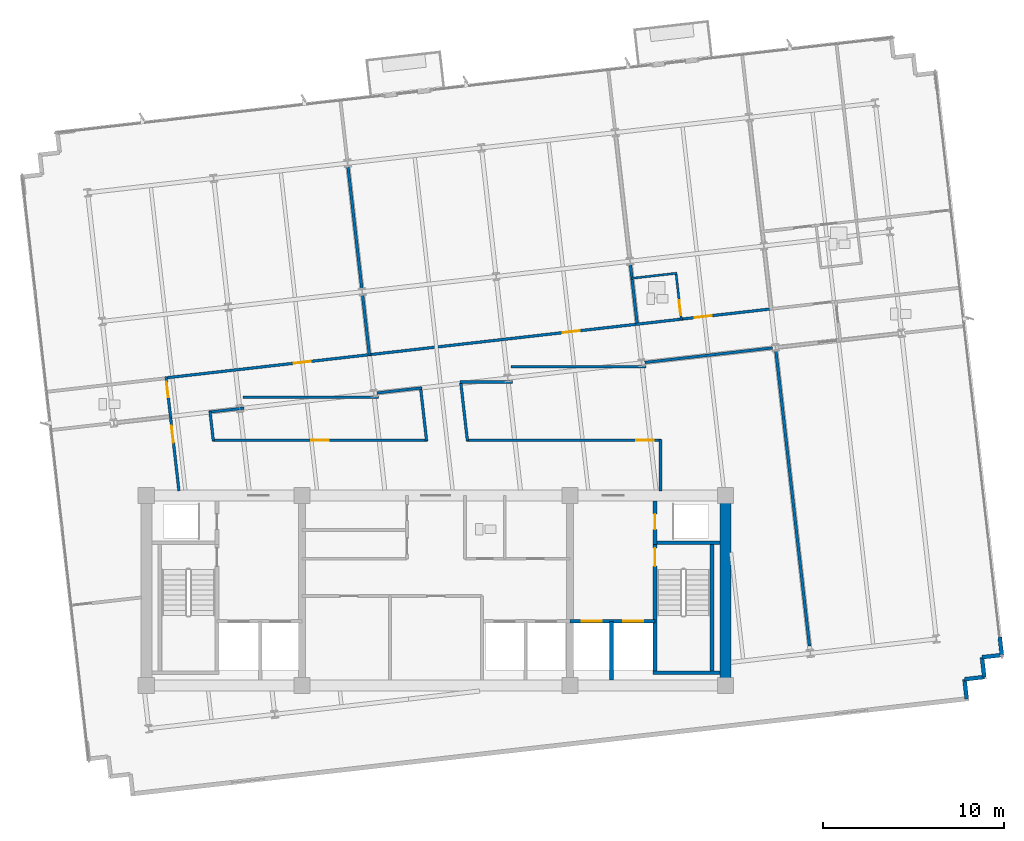
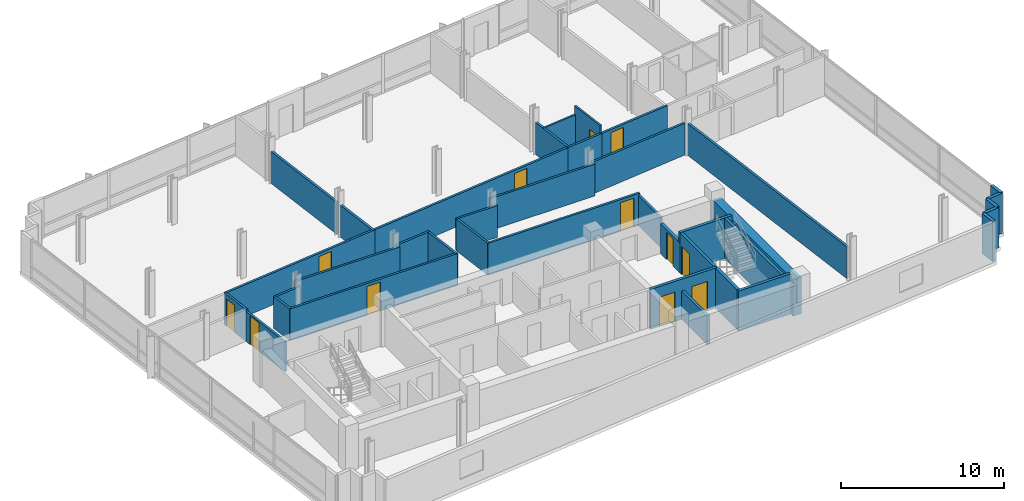
# One storey, part 9 of 14: 37 walls, 12 doors, 12 openings.
"""IFC4 building model written with IfcOpenShell, lengths in metres."""

from ifc_helpers import new_model, si_unit, direction, frame, frame_2d, origin, place, context, subcontext, project, spatial, rectangle, extrude, material, layer, layer_set, type_object, element, fill, save


model = new_model("IFC4")

# Units and contexts
model_context = context("Model", 3, precision=1e-05, world=origin(), true_north=direction((0.0, 1.0)))
body_context = subcontext(model_context, "Body", "Model", "MODEL_VIEW")
ifc_project = project(units=[si_unit("LENGTHUNIT", "METRE"), si_unit("AREAUNIT", "SQUARE_METRE"), si_unit("VOLUMEUNIT", "CUBIC_METRE"), si_unit("PLANEANGLEUNIT", "RADIAN"), si_unit("MASSUNIT", "GRAM", prefix="KILO")], contexts=[model_context])

# Site, building, storey
site_placement = place(None, origin())
site = spatial("IfcSite", under=ifc_project, at=site_placement, CompositionType="ELEMENT")
building_placement = place(site_placement, origin())
building = spatial("IfcBuilding", under=site, at=building_placement, Name="Solmavex Isthmus Hotel", CompositionType="ELEMENT")
storey_placement = place(building_placement, frame((0.0, 0.0, 236.550048828125)))
storey = spatial("IfcBuildingStorey", under=building, at=storey_placement, Name="L64", CompositionType="ELEMENT", Elevation=236.550048828125)

# Walls
ifc_material_1 = material(Name="Precast Concrete C40/50", Category="concrete")
ifc_layer_1 = layer(ifc_material_1, 0.25)
ifc_layer_set_1 = layer_set([ifc_layer_1], Name="Precast Concrete C40/50")
wall_type_1 = type_object("IfcWallType", Name="EW-TWR-250", PredefinedType="STANDARD", material=ifc_layer_set_1)
wall_1_placement = place(storey_placement, frame((31.1474609375, -10.328125, 0.0), z_axis=(0.0, 0.0, 1.0), x_axis=(0.113191877531, -0.993573147212, 0.0)))
element("IfcWall", 1, at=wall_1_placement, inside=storey, type_object=wall_type_1, Name="Serrated Corner Facade Panel L64-21", PredefinedType="STANDARD", context=body_context, shape_type="SweptSolid", body=[
    extrude(rectangle(XDim=0.989990234375, YDim=0.219970703125, at=frame_2d((0.4951171875, 0.0))), origin(), (0.0, 0.0, 1.0), 3.0),
])
wall_2_placement = place(storey_placement, frame((31.259521484375, -11.311767578125, 0.0), z_axis=(0.0, 0.0, 1.0), x_axis=(-0.99357409499, -0.113183557839, 0.0)))
element("IfcWall", 2, at=wall_2_placement, inside=storey, type_object=wall_type_1, Name="Serrated Corner Facade Panel L64-22", PredefinedType="STANDARD", context=body_context, shape_type="SweptSolid", body=[
    extrude(rectangle(XDim=1.10009765625, YDim=0.219970703125, at=frame_2d((0.550048828125, 0.0))), origin(), (0.0, 0.0, 1.0), 3.0),
])
wall_3_placement = place(storey_placement, frame((30.16650390625, -11.436279296875, 0.0), z_axis=(0.0, 0.0, 1.0), x_axis=(0.113427644885, -0.993546259303, 0.0)))
element("IfcWall", 3, at=wall_3_placement, inside=storey, type_object=wall_type_1, Name="Serrated Corner Facade Panel L64-23", PredefinedType="STANDARD", context=body_context, shape_type="SweptSolid", body=[
    extrude(rectangle(XDim=1.099853515625, YDim=0.219970703125, at=frame_2d((0.5498046875, 0.0))), origin(), (0.0, 0.0, 1.0), 3.0),
])
for number, where, z_axis, x_axis, name in (
    (4, (30.291259765625, -12.529052734375, 0.0), (0.0, 0.0, 1.0), (-0.99357409499, -0.113183557839, 0.0), "Serrated Corner Facade Panel L64-24"),
    (5, (29.1982421875, -12.653564453125, 0.0), (0.0, 0.0, 1.0), (0.113183557839, -0.99357409499, 0.0), "Serrated Corner Facade Panel L64-25"),
):
    element("IfcWall", number, at=place(storey_placement, frame(where, z_axis=z_axis, x_axis=x_axis)), inside=storey, type_object=wall_type_1, Name=name, PredefinedType="STANDARD", context=body_context, shape_type="SweptSolid", body=[
        extrude(rectangle(XDim=1.10009765625, YDim=0.219970703125, at=frame_2d((0.550048828125, 0.0))), origin(), (0.0, 0.0, 1.0), 3.0),
    ])
ifc_material_2 = material(Name="Gypsum plasterboard lining", Category="gypsum")
ifc_layer_2 = layer(ifc_material_2, 0.159912109375)
ifc_layer_set_2 = layer_set([ifc_layer_2], Name="Gypsum plasterboard lining")
wall_type_2 = type_object("IfcWallType", Name="IW-COMP-160", PredefinedType="PARTITIONING", material=ifc_layer_set_2)
wall_4_placement = place(storey_placement, frame((-4.864990234375, 15.68603515625, 0.0), z_axis=(0.0, 0.0, 1.0), x_axis=(0.11321341463, -0.993570693382, 0.0)))
element("IfcWall", 6, at=wall_4_placement, inside=storey, type_object=wall_type_2, Name="Interior Partition Wall W-L64-P023", PredefinedType="PARTITIONING", context=body_context, shape_type="SweptSolid", body=[
    extrude(rectangle(XDim=6.79931640625, YDim=0.159912109375, at=frame_2d((3.399658203125, 0.0))), origin(), (0.0, 0.0, 1.0), 2.38232421875),
])
wall_5_placement = place(storey_placement, frame((-4.05517578125, 8.580078125, 0.0), z_axis=(0.0, 0.0, 1.0), x_axis=(0.113149223935, -0.993578005555, 0.0)))
element("IfcWall", 7, at=wall_5_placement, inside=storey, type_object=wall_type_2, Name="Interior Partition Wall W-L64-P024", PredefinedType="PARTITIONING", context=body_context, shape_type="SweptSolid", body=[
    extrude(rectangle(XDim=3.361572265625, YDim=0.159912109375, at=frame_2d((1.6806640625, 0.0))), origin(), (0.0, 0.0, 1.0), 2.38232421875),
])
wall_6_placement = place(storey_placement, frame((10.740966796875, 10.265869140625, 0.0), z_axis=(0.0, 0.0, 1.0), x_axis=(0.113220917918, -0.993569838384, 0.0)))
element("IfcWall", 8, at=wall_6_placement, inside=storey, type_object=wall_type_2, Name="Interior Partition Wall W-L64-P028", PredefinedType="PARTITIONING", context=body_context, shape_type="SweptSolid", body=[
    extrude(rectangle(XDim=3.36181640625, YDim=0.159912109375, at=frame_2d((1.680908203125, 0.0))), origin(), (0.0, 0.0, 1.0), 2.38232421875),
])
wall_7_placement = place(storey_placement, frame((18.778564453125, 5.4970703125, 0.0), z_axis=(0.0, 0.0, 1.0), x_axis=(0.113193364489, -0.993572977811, 0.0)))
element("IfcWall", 9, at=wall_7_placement, inside=storey, type_object=wall_type_2, Name="Interior Partition Wall W-L64-P047", PredefinedType="PARTITIONING", context=body_context, shape_type="SweptSolid", body=[
    extrude(rectangle(XDim=16.41357421875, YDim=0.159912109375, at=frame_2d((8.206787109375, 0.0))), origin(), (0.0, 0.0, 1.0), 2.38232421875),
])

# Wall, opening, door
ifc_layer_3 = layer(ifc_material_2, 0.14990234375)
ifc_layer_set_3 = layer_set([ifc_layer_3], Name="Gypsum plasterboard lining")
wall_type_3 = type_object("IfcWallType", Name="IW-CORR-150", PredefinedType="PARTITIONING", material=ifc_layer_set_3)
wall_8_placement = place(storey_placement, frame((-14.950439453125, 3.99560546875, 0.0), z_axis=(0.0, 0.0, 1.0), x_axis=(0.993571869582, 0.113203091721, 0.0)))
wall_8 = element("IfcWall", 10, at=wall_8_placement, inside=storey, type_object=wall_type_3, Name="Interior Partition Wall W-L64-P001", PredefinedType="PARTITIONING", context=body_context, shape_type="SweptSolid", body=[
    extrude(rectangle(XDim=11.426025390625, YDim=0.14990234375, at=frame_2d((5.712890625, 0.0))), origin(), (0.0, 0.0, 1.0), 2.38232421875),
])
opening_1_placement = place(wall_8_placement, frame((7.14404296875, 0.0, 0.0)))
opening_1 = element("IfcOpeningElement", 11, at=opening_1_placement, cuts=wall_8, Name="Opening ID-C095", PredefinedType="OPENING", context=body_context, shape_type="SweptSolid", body=[
    extrude(rectangle(XDim=0.949951171875, YDim=2.14990234375, at=frame_2d((0.47509765625, 1.074951171875))), frame((0.0, 0.0849609375, 0.0), z_axis=(0.0, -1.0, 0.0), x_axis=(1.0, 0.0, 0.0)), (0.0, 0.0, 1.0), 0.169921875),
])
ifc_material_3 = material(Name="Hardwood timber", Category="wood")
door_type_1 = type_object("IfcDoorType", Name="IDR-FD60-0950", OperationType="NOTDEFINED", PredefinedType="DOOR", material=ifc_material_3)
door_1_placement = place(opening_1_placement, origin())
door_1 = element("IfcDoor", 12, at=door_1_placement, inside=storey, type_object=door_type_1, Name="Corporate Briefing Office Door L64-01", OperationType="SINGLE_SWING_LEFT", OverallHeight=2.14990234375, OverallWidth=0.949951171875, PredefinedType="DOOR", context=body_context, shape_type="SweptSolid", body=[
    extrude(rectangle(XDim=0.949951171875, YDim=2.14990234375, at=frame_2d((0.47509765625, 1.074951171875))), frame((0.0, 0.02490234375, 0.0), z_axis=(0.0, -1.0, 0.0), x_axis=(1.0, 0.0, 0.0)), (0.0, 0.0, 1.0), 0.050048828125),
])
fill(opening_1, door_1)

wall_9_placement = place(storey_placement, frame((-3.7607421875, 5.2705078125, 0.0), z_axis=(0.0, 0.0, 1.0), x_axis=(0.993572177632, 0.113200387969, 0.0)))
wall_9 = element("IfcWall", 13, at=wall_9_placement, inside=storey, type_object=wall_type_3, Name="Interior Partition Wall W-L64-P002", PredefinedType="PARTITIONING", context=body_context, shape_type="SweptSolid", body=[
    extrude(rectangle(XDim=15.055908203125, YDim=0.14990234375, at=frame_2d((7.52783203125, 0.0))), origin(), (0.0, 0.0, 1.0), 2.38232421875),
])
opening_2_placement = place(wall_9_placement, frame((10.826904296875, 0.0, 0.0)))
opening_2 = element("IfcOpeningElement", 14, at=opening_2_placement, cuts=wall_9, Name="Opening ID-C095", PredefinedType="OPENING", context=body_context, shape_type="SweptSolid", body=[
    extrude(rectangle(XDim=0.949951171875, YDim=2.14990234375, at=frame_2d((0.47509765625, 1.074951171875))), frame((0.0, 0.0849609375, 0.0), z_axis=(0.0, -1.0, 0.0), x_axis=(1.0, 0.0, 0.0)), (0.0, 0.0, 1.0), 0.169921875),
])
door_2_placement = place(opening_2_placement, origin())
door_2 = element("IfcDoor", 15, at=door_2_placement, inside=storey, type_object=door_type_1, Name="Corporate Briefing Office Door L64-02", OperationType="SINGLE_SWING_RIGHT", OverallHeight=2.14990234375, OverallWidth=0.949951171875, PredefinedType="DOOR", context=body_context, shape_type="SweptSolid", body=[
    extrude(rectangle(XDim=0.949951171875, YDim=2.14990234375, at=frame_2d((0.47509765625, 1.074951171875))), frame((0.0, 0.02490234375, 0.0), z_axis=(0.0, -1.0, 0.0), x_axis=(1.0, 0.0, 0.0)), (0.0, 0.0, 1.0), 0.050048828125),
])
fill(opening_2, door_2)

wall_10_placement = place(storey_placement, frame((13.4697265625, 7.233642578125, 0.0), z_axis=(0.0, 0.0, 1.0), x_axis=(0.993569981158, 0.113219664996, 0.0)))
wall_10 = element("IfcWall", 16, at=wall_10_placement, inside=storey, type_object=wall_type_3, Name="Interior Partition Wall W-L64-P003", PredefinedType="PARTITIONING", context=body_context, shape_type="SweptSolid", body=[
    extrude(rectangle(XDim=5.16015625, YDim=0.14990234375, at=frame_2d((2.580078125, 0.0))), origin(), (0.0, 0.0, 1.0), 2.38232421875),
])
opening_3_placement = place(wall_10_placement, frame((0.82470703125, 0.0, 0.0)))
opening_3 = element("IfcOpeningElement", 17, at=opening_3_placement, cuts=wall_10, Name="Opening ID-C095", PredefinedType="OPENING", context=body_context, shape_type="SweptSolid", body=[
    extrude(rectangle(XDim=0.949951171875, YDim=2.14990234375, at=frame_2d((0.47509765625, 1.074951171875))), frame((0.0, 0.0849609375, 0.0), z_axis=(0.0, -1.0, 0.0), x_axis=(1.0, 0.0, 0.0)), (0.0, 0.0, 1.0), 0.169921875),
])
door_3_placement = place(opening_3_placement, origin())
door_3 = element("IfcDoor", 18, at=door_3_placement, inside=storey, type_object=door_type_1, Name="Diplomatic Suite Door L64-03", OperationType="SINGLE_SWING_LEFT", OverallHeight=2.14990234375, OverallWidth=0.949951171875, PredefinedType="DOOR", context=body_context, shape_type="SweptSolid", body=[
    extrude(rectangle(XDim=0.949951171875, YDim=2.14990234375, at=frame_2d((0.47509765625, 1.074951171875))), frame((0.0, 0.02490234375, 0.0), z_axis=(0.0, -1.0, 0.0), x_axis=(1.0, 0.0, 0.0)), (0.0, 0.0, 1.0), 0.050048828125),
])
fill(opening_3, door_3)

# Wall
wall_11_placement = place(storey_placement, frame((11.03564453125, 6.956298828125, 0.0), z_axis=(0.0, 0.0, 1.0), x_axis=(0.993572349416, 0.113198880193, 0.0)))
element("IfcWall", 19, at=wall_11_placement, inside=storey, type_object=wall_type_3, Name="Interior Partition Wall W-L64-P004", PredefinedType="PARTITIONING", context=body_context, shape_type="SweptSolid", body=[
    extrude(rectangle(XDim=2.614013671875, YDim=0.14990234375, at=frame_2d((1.30712890625, 0.0))), origin(), (0.0, 0.0, 1.0), 2.38232421875),
])

# Wall, opening, door
wall_12_placement = place(storey_placement, frame((-14.657958984375, 1.782470703125, 0.0), z_axis=(0.0, 0.0, 1.0), x_axis=(-0.113179685294, 0.993574536125, 0.0)))
wall_12 = element("IfcWall", 20, at=wall_12_placement, inside=storey, type_object=wall_type_3, Name="Interior Partition Wall W-L64-P006", PredefinedType="PARTITIONING", context=body_context, shape_type="SweptSolid", body=[
    extrude(rectangle(XDim=2.251953125, YDim=0.14990234375, at=frame_2d((1.1259765625, 0.0))), origin(), (0.0, 0.0, 1.0), 2.38232421875),
])
opening_4_placement = place(wall_12_placement, frame((1.156982421875, 0.0, 0.0)))
opening_4 = element("IfcOpeningElement", 21, at=opening_4_placement, cuts=wall_12, Name="Opening ID-R085", PredefinedType="OPENING", context=body_context, shape_type="SweptSolid", body=[
    extrude(rectangle(XDim=0.85009765625, YDim=2.050048828125, at=frame_2d((0.425048828125, 1.02490234375))), frame((0.0, 0.0849609375, 0.0), z_axis=(0.0, -1.0, 0.0), x_axis=(1.0, 0.0, 0.0)), (0.0, 0.0, 1.0), 0.169921875),
])
ifc_material_4 = material(Name="Steel ASTM A500 Grade C", Category="steel")
door_type_2 = type_object("IfcDoorType", Name="IDR-FD60-0850", OperationType="NOTDEFINED", PredefinedType="DOOR", material=ifc_material_4)
door_4_placement = place(opening_4_placement, frame((0.85009765625, 0.0, 0.0), z_axis=(0.0, 0.0, 1.0), x_axis=(-1.0, 0.0, 0.0)))
door_4 = element("IfcDoor", 22, at=door_4_placement, inside=storey, type_object=door_type_2, Name="Accessible Public Restroom WC Door L64-09", OperationType="SINGLE_SWING_LEFT", OverallHeight=2.050048828125, OverallWidth=0.85009765625, PredefinedType="DOOR", context=body_context, shape_type="SweptSolid", body=[
    extrude(rectangle(XDim=0.85009765625, YDim=2.050048828125, at=frame_2d((0.425048828125, 1.02490234375))), frame((0.0, 0.02490234375, 0.0), z_axis=(0.0, -1.0, 0.0), x_axis=(1.0, 0.0, 0.0)), (0.0, 0.0, 1.0), 0.050048828125),
])
fill(opening_4, door_4)

# Walls
wall_13_placement = place(storey_placement, frame((-10.6064453125, 2.32666015625, 0.0), z_axis=(0.0, 0.0, 1.0), x_axis=(-0.993564486687, -0.113267871856, 0.0)))
element("IfcWall", 23, at=wall_13_placement, inside=storey, type_object=wall_type_3, Name="Interior Partition Wall W-L64-P008", PredefinedType="PARTITIONING", context=body_context, shape_type="SweptSolid", body=[
    extrude(rectangle(XDim=1.927001953125, YDim=0.14990234375, at=frame_2d((0.96337890625, 0.0))), origin(), (0.0, 0.0, 1.0), 2.38232421875),
])
wall_14_placement = place(storey_placement, frame((-12.48583984375, 2.15283203125, 0.0), z_axis=(0.0, 0.0, 1.0), x_axis=(0.113121752139, -0.993581133674, 0.0)))
element("IfcWall", 24, at=wall_14_placement, inside=storey, type_object=wall_type_3, Name="Interior Partition Wall W-L64-P009", PredefinedType="PARTITIONING", context=body_context, shape_type="SweptSolid", body=[
    extrude(rectangle(XDim=1.653076171875, YDim=0.14990234375, at=frame_2d((0.82666015625, 0.0))), origin(), (0.0, 0.0, 1.0), 2.38232421875),
])

# Wall, opening, door
wall_15_placement = place(storey_placement, frame((-12.34326171875, 0.550048828125, 0.0), z_axis=(0.0, 0.0, 1.0), x_axis=(1.0, 0.0, 0.0)))
wall_15 = element("IfcWall", 25, at=wall_15_placement, inside=storey, type_object=wall_type_3, Name="Interior Partition Wall W-L64-P010", PredefinedType="PARTITIONING", context=body_context, shape_type="SweptSolid", body=[
    extrude(rectangle(XDim=11.86279296875, YDim=0.14990234375, at=frame_2d((5.931396484375, 0.0))), origin(), (0.0, 0.0, 1.0), 2.38232421875),
])
opening_5_placement = place(wall_15_placement, frame((5.456298828125, 0.0, 0.0)))
opening_5 = element("IfcOpeningElement", 26, at=opening_5_placement, cuts=wall_15, Name="Opening ID-C095", PredefinedType="OPENING", context=body_context, shape_type="SweptSolid", body=[
    extrude(rectangle(XDim=0.949951171875, YDim=2.14990234375, at=frame_2d((0.47509765625, 1.074951171875))), frame((0.0, 0.0849609375, 0.0), z_axis=(0.0, -1.0, 0.0), x_axis=(1.0, 0.0, 0.0)), (0.0, 0.0, 1.0), 0.169921875),
])
door_5_placement = place(opening_5_placement, origin())
door_5 = element("IfcDoor", 27, at=door_5_placement, inside=storey, type_object=door_type_1, Name="Wellness Treatment Room Door L64-11", OperationType="SINGLE_SWING_LEFT", OverallHeight=2.14990234375, OverallWidth=0.949951171875, PredefinedType="DOOR", context=body_context, shape_type="SweptSolid", body=[
    extrude(rectangle(XDim=0.949951171875, YDim=2.14990234375, at=frame_2d((0.47509765625, 1.074951171875))), frame((0.0, 0.02490234375, 0.0), z_axis=(0.0, -1.0, 0.0), x_axis=(1.0, 0.0, 0.0)), (0.0, 0.0, 1.0), 0.050048828125),
])
fill(opening_5, door_5)

# Walls
wall_16_placement = place(storey_placement, frame((-0.515869140625, 0.51025390625, 0.0), z_axis=(0.0, 0.0, 1.0), x_axis=(-0.113283799092, 0.993562670828, 0.0)))
element("IfcWall", 28, at=wall_16_placement, inside=storey, type_object=wall_type_3, Name="Interior Partition Wall W-L64-P011", PredefinedType="PARTITIONING", context=body_context, shape_type="SweptSolid", body=[
    extrude(rectangle(XDim=2.987060546875, YDim=0.14990234375, at=frame_2d((1.49365234375, 0.0))), origin(), (0.0, 0.0, 1.0), 2.38232421875),
])
wall_17_placement = place(storey_placement, frame((-0.809814453125, 3.44287109375, 0.0), z_axis=(0.0, 0.0, 1.0), x_axis=(-0.993568355418, -0.113233930922, 0.0)))
element("IfcWall", 29, at=wall_17_placement, inside=storey, type_object=wall_type_3, Name="Interior Partition Wall W-L64-P012", PredefinedType="PARTITIONING", context=body_context, shape_type="SweptSolid", body=[
    extrude(rectangle(XDim=2.466552734375, YDim=0.14990234375, at=frame_2d((1.2333984375, 0.0))), origin(), (0.0, 0.0, 1.0), 2.38232421875),
])
wall_18_placement = place(storey_placement, frame((-3.180908203125, 2.9287109375, 0.0), z_axis=(0.0, 0.0, 1.0), x_axis=(-1.0, 0.0, 0.0)))
element("IfcWall", 30, at=wall_18_placement, inside=storey, type_object=wall_type_3, Name="Interior Partition Wall W-L64-P013", PredefinedType="PARTITIONING", context=body_context, shape_type="SweptSolid", body=[
    extrude(rectangle(XDim=7.477783203125, YDim=0.14990234375, at=frame_2d((3.73876953125, 0.0))), origin(), (0.0, 0.0, 1.0), 2.38232421875),
])

# Wall, opening, door
wall_19_placement = place(storey_placement, frame((-14.19970703125, -2.23974609375, 0.0), z_axis=(0.0, 0.0, 1.0), x_axis=(-0.11319839611, 0.993572404568, 0.0)))
wall_19 = element("IfcWall", 31, at=wall_19_placement, inside=storey, type_object=wall_type_3, Name="Interior Partition Wall W-L64-P014", PredefinedType="PARTITIONING", context=body_context, shape_type="SweptSolid", body=[
    extrude(rectangle(XDim=4.212158203125, YDim=0.14990234375, at=frame_2d((2.10595703125, 0.0))), origin(), (0.0, 0.0, 1.0), 2.244873046875),
])
opening_6_placement = place(wall_19_placement, frame((2.67236328125, 0.0, 0.0)))
opening_6 = element("IfcOpeningElement", 32, at=opening_6_placement, cuts=wall_19, Name="Opening ID-C095", PredefinedType="OPENING", context=body_context, shape_type="SweptSolid", body=[
    extrude(rectangle(XDim=0.949951171875, YDim=2.14990234375, at=frame_2d((0.47509765625, 1.074951171875))), frame((0.0, 0.0849609375, 0.0), z_axis=(0.0, -1.0, 0.0), x_axis=(1.0, 0.0, 0.0)), (0.0, 0.0, 1.0), 0.169921875),
])
door_6_placement = place(opening_6_placement, frame((0.949951171875, 0.0, 0.0), z_axis=(0.0, 0.0, 1.0), x_axis=(-1.0, 0.0, 0.0)))
door_6 = element("IfcDoor", 33, at=door_6_placement, inside=storey, type_object=door_type_1, Name="Executive Meeting Room Door L64-12", OperationType="SINGLE_SWING_RIGHT", OverallHeight=2.14990234375, OverallWidth=0.949951171875, PredefinedType="DOOR", context=body_context, shape_type="SweptSolid", body=[
    extrude(rectangle(XDim=0.949951171875, YDim=2.14990234375, at=frame_2d((0.47509765625, 1.074951171875))), frame((0.0, 0.02490234375, 0.0), z_axis=(0.0, -1.0, 0.0), x_axis=(1.0, 0.0, 0.0)), (0.0, 0.0, 1.0), 0.050048828125),
])
fill(opening_6, door_6)

# Walls
wall_20_placement = place(storey_placement, frame((18.583251953125, 5.65234375, 0.0), z_axis=(0.0, 0.0, 1.0), x_axis=(-0.993571775172, -0.113203920343, 0.0)))
element("IfcWall", 34, at=wall_20_placement, inside=storey, type_object=wall_type_3, Name="Interior Partition Wall W-L64-P015", PredefinedType="PARTITIONING", context=body_context, shape_type="SweptSolid", body=[
    extrude(rectangle(XDim=7.09326171875, YDim=0.14990234375, at=frame_2d((3.546630859375, 0.0))), origin(), (0.0, 0.0, 1.0), 2.38232421875),
])
wall_21_placement = place(storey_placement, frame((11.615478515625, 4.614501953125, 0.0), z_axis=(0.0, 0.0, 1.0), x_axis=(-1.0, 0.0, 0.0)))
element("IfcWall", 35, at=wall_21_placement, inside=storey, type_object=wall_type_3, Name="Interior Partition Wall W-L64-P016", PredefinedType="PARTITIONING", context=body_context, shape_type="SweptSolid", body=[
    extrude(rectangle(XDim=7.47802734375, YDim=0.14990234375, at=frame_2d((3.739013671875, 0.0))), origin(), (0.0, 0.0, 1.0), 2.38232421875),
])
wall_22_placement = place(storey_placement, frame((4.21728515625, 3.771484375, 0.0), z_axis=(0.0, 0.0, 1.0), x_axis=(-1.0, 0.0, 0.0)))
element("IfcWall", 36, at=wall_22_placement, inside=storey, type_object=wall_type_3, Name="Interior Partition Wall W-L64-P017", PredefinedType="PARTITIONING", context=body_context, shape_type="SweptSolid", body=[
    extrude(rectangle(XDim=2.881103515625, YDim=0.14990234375, at=frame_2d((1.4404296875, 0.0))), origin(), (0.0, 0.0, 1.0), 2.38232421875),
])
wall_23_placement = place(storey_placement, frame((1.37158203125, 3.731689453125, 0.0), z_axis=(0.0, 0.0, 1.0), x_axis=(0.113174940517, -0.993575076599, 0.0)))
element("IfcWall", 37, at=wall_23_placement, inside=storey, type_object=wall_type_3, Name="Interior Partition Wall W-L64-P018", PredefinedType="PARTITIONING", context=body_context, shape_type="SweptSolid", body=[
    extrude(rectangle(XDim=3.2421875, YDim=0.14990234375, at=frame_2d((1.62109375, 0.0))), origin(), (0.0, 0.0, 1.0), 2.38232421875),
])

# Wall, opening, door
wall_24_placement = place(storey_placement, frame((1.694091796875, 0.550048828125, 0.0), z_axis=(0.0, 0.0, 1.0), x_axis=(1.0, 0.0, 0.0)))
wall_24 = element("IfcWall", 38, at=wall_24_placement, inside=storey, type_object=wall_type_3, Name="Interior Partition Wall W-L64-P019", PredefinedType="PARTITIONING", context=body_context, shape_type="SweptSolid", body=[
    extrude(rectangle(XDim=10.745849609375, YDim=0.14990234375, at=frame_2d((5.373046875, 0.0))), origin(), (0.0, 0.0, 1.0), 2.38232421875),
])
opening_7_placement = place(wall_24_placement, frame((9.377685546875, 0.0, 0.0)))
opening_7 = element("IfcOpeningElement", 39, at=opening_7_placement, cuts=wall_24, Name="Opening ID-C095", PredefinedType="OPENING", context=body_context, shape_type="SweptSolid", body=[
    extrude(rectangle(XDim=0.949951171875, YDim=2.14990234375, at=frame_2d((0.47509765625, 1.074951171875))), frame((0.0, 0.0849609375, 0.0), z_axis=(0.0, -1.0, 0.0), x_axis=(1.0, 0.0, 0.0)), (0.0, 0.0, 1.0), 0.169921875),
])
door_7_placement = place(opening_7_placement, frame((0.949951171875, 0.0, 0.0), z_axis=(0.0, 0.0, 1.0), x_axis=(-1.0, 0.0, 0.0)))
door_7 = element("IfcDoor", 40, at=door_7_placement, inside=storey, type_object=door_type_1, Name="Wellness Hydrotherapy Lounge Door L64-14", OperationType="SINGLE_SWING_RIGHT", OverallHeight=2.14990234375, OverallWidth=0.949951171875, PredefinedType="DOOR", context=body_context, shape_type="SweptSolid", body=[
    extrude(rectangle(XDim=0.949951171875, YDim=2.14990234375, at=frame_2d((0.47509765625, 1.074951171875))), frame((0.0, 0.02490234375, 0.0), z_axis=(0.0, -1.0, 0.0), x_axis=(1.0, 0.0, 0.0)), (0.0, 0.0, 1.0), 0.050048828125),
])
fill(opening_7, door_7)

# Wall
wall_25_placement = place(storey_placement, frame((12.39990234375, 0.590087890625, 0.0), z_axis=(0.0, 0.0, 1.0), x_axis=(0.0, -1.0, 0.0)))
element("IfcWall", 41, at=wall_25_placement, inside=storey, type_object=wall_type_3, Name="Interior Partition Wall W-L64-P020", PredefinedType="PARTITIONING", context=body_context, shape_type="SweptSolid", body=[
    extrude(rectangle(XDim=2.830078125, YDim=0.14990234375, at=frame_2d((1.4150390625, 0.0))), origin(), (0.0, 0.0, 1.0), 2.244873046875),
])

# Wall, opening, door
ifc_layer_4 = layer(ifc_material_2, 0.1201171875)
ifc_layer_set_4 = layer_set([ifc_layer_4], Name="Gypsum plasterboard lining")
wall_type_4 = type_object("IfcWallType", Name="IW-PART-120", PredefinedType="PARTITIONING", material=ifc_layer_set_4)
wall_26_placement = place(storey_placement, frame((13.555908203125, 7.203125, 0.0), z_axis=(0.0, 0.0, 1.0), x_axis=(-0.113242913364, 0.993567331676, 0.0)))
wall_26 = element("IfcWall", 42, at=wall_26_placement, inside=storey, type_object=wall_type_4, Name="Interior Partition Wall W-L64-P029", PredefinedType="PARTITIONING", context=body_context, shape_type="SweptSolid", body=[
    extrude(rectangle(XDim=2.630126953125, YDim=0.1201171875, at=frame_2d((1.31494140625, 0.0))), origin(), (0.0, 0.0, 1.0), 3.0),
])
opening_8_placement = place(wall_26_placement, frame((0.247314453125, 0.0, 0.0)))
opening_8 = element("IfcOpeningElement", 43, at=opening_8_placement, cuts=wall_26, Name="Opening ID-U085", PredefinedType="OPENING", context=body_context, shape_type="SweptSolid", body=[
    extrude(rectangle(XDim=0.85009765625, YDim=2.10009765625, at=frame_2d((0.425048828125, 1.050048828125))), frame((0.0, 0.070068359375, 0.0), z_axis=(0.0, -1.0, 0.0), x_axis=(1.0, 0.0, 0.0)), (0.0, 0.0, 1.0), 0.14013671875),
])
door_type_3 = type_object("IfcDoorType", Name="IDR-UNR-0850", OperationType="NOTDEFINED", PredefinedType="DOOR", material=ifc_material_3)
door_8_placement = place(opening_8_placement, frame((0.85009765625, 0.0, 0.0), z_axis=(0.0, 0.0, 1.0), x_axis=(-1.0, 0.0, 0.0)))
door_8 = element("IfcDoor", 44, at=door_8_placement, inside=storey, type_object=door_type_3, Name="En-suite Bathroom Door L64-04", OperationType="SINGLE_SWING_RIGHT", OverallHeight=2.10009765625, OverallWidth=0.85009765625, PredefinedType="DOOR", context=body_context, shape_type="SweptSolid", body=[
    extrude(rectangle(XDim=0.85009765625, YDim=2.10009765625, at=frame_2d((0.425048828125, 1.050048828125))), frame((0.0, 0.02490234375, 0.0), z_axis=(0.0, -1.0, 0.0), x_axis=(1.0, 0.0, 0.0)), (0.0, 0.0, 1.0), 0.050048828125),
])
fill(opening_8, door_8)

# Wall
wall_27_placement = place(storey_placement, frame((13.30224609375, 9.781005859375, 0.0), z_axis=(0.0, 0.0, 1.0), x_axis=(-0.99357273507, -0.113195495167, 0.0)))
element("IfcWall", 45, at=wall_27_placement, inside=storey, type_object=wall_type_4, Name="Interior Partition Wall W-L64-P030", PredefinedType="PARTITIONING", context=body_context, shape_type="SweptSolid", body=[
    extrude(rectangle(XDim=2.530029296875, YDim=0.1201171875, at=frame_2d((1.26513671875, 0.0))), origin(), (0.0, 0.0, 1.0), 2.38232421875),
])

# Wall, opening, door
ifc_material_5 = material(Name="Concrete C40/50", Category="concrete")
ifc_layer_5 = layer(ifc_material_5, 0.199951171875)
ifc_layer_set_5 = layer_set([ifc_layer_5], Name="Concrete C40/50")
wall_type_5 = type_object("IfcWallType", Name="IW-SHAFT-200", PredefinedType="PARTITIONING", material=ifc_layer_set_5)
wall_28_placement = place(storey_placement, frame((12.10009765625, -5.199951171875, 0.0), z_axis=(0.0, 0.0, 1.0), x_axis=(0.0, 1.0, 0.0)))
wall_28 = element("IfcWall", 46, at=wall_28_placement, inside=storey, type_object=wall_type_5, Name="Interior Partition Wall W-L64-RSE-W", PredefinedType="PARTITIONING", context=body_context, shape_type="SweptSolid", body=[
    extrude(rectangle(XDim=2.39990234375, YDim=0.199951171875, at=frame_2d((1.199951171875, 0.0))), origin(), (0.0, 0.0, 1.0), 2.244873046875),
])
opening_9_placement = place(wall_28_placement, frame((0.824951171875, 0.0, 0.0)))
opening_9 = element("IfcOpeningElement", 47, at=opening_9_placement, cuts=wall_28, Name="Opening ID-R085", PredefinedType="OPENING", context=body_context, shape_type="SweptSolid", body=[
    extrude(rectangle(XDim=0.85009765625, YDim=2.050048828125, at=frame_2d((0.425048828125, 1.02490234375))), frame((0.0, 0.10986328125, 0.0), z_axis=(0.0, -1.0, 0.0), x_axis=(1.0, 0.0, 0.0)), (0.0, 0.0, 1.0), 0.219970703125),
])
door_9_placement = place(opening_9_placement, frame((0.85009765625, 0.0, 0.0), z_axis=(0.0, 0.0, 1.0), x_axis=(-1.0, 0.0, 0.0)))
door_9 = element("IfcDoor", 48, at=door_9_placement, inside=storey, type_object=door_type_2, Name="Mechanical Riser Door L64", OperationType="SINGLE_SWING_LEFT", OverallHeight=2.050048828125, OverallWidth=0.85009765625, PredefinedType="DOOR", context=body_context, shape_type="SweptSolid", body=[
    extrude(rectangle(XDim=0.85009765625, YDim=2.050048828125, at=frame_2d((0.425048828125, 1.02490234375))), frame((0.0, 0.02490234375, 0.0), z_axis=(0.0, -1.0, 0.0), x_axis=(1.0, 0.0, 0.0)), (0.0, 0.0, 1.0), 0.050048828125),
])
fill(opening_9, door_9)

# Wall, openings, doors
wall_29_placement = place(storey_placement, frame((7.39990234375, -9.449951171875, 0.0), z_axis=(0.0, 0.0, 1.0), x_axis=(1.0, 0.0, 0.0)))
wall_29 = element("IfcWall", 49, at=wall_29_placement, inside=storey, type_object=wall_type_5, Name="Interior Partition Wall W-L64-FFLE-S", PredefinedType="PARTITIONING", context=body_context, shape_type="SweptSolid", body=[
    extrude(rectangle(XDim=4.7001953125, YDim=0.199951171875, at=frame_2d((2.35009765625, 0.0))), origin(), (0.0, 0.0, 1.0), 3.0),
])
opening_10_placement = place(wall_29_placement, frame((2.949951171875, 0.0, 0.0)))
opening_10 = element("IfcOpeningElement", 50, at=opening_10_placement, cuts=wall_29, Name="Opening LD-FF", PredefinedType="OPENING", context=body_context, shape_type="SweptSolid", body=[
    extrude(rectangle(XDim=1.10009765625, YDim=2.199951171875, at=frame_2d((0.550048828125, 1.10009765625))), frame((0.0, 0.10986328125, 0.0), z_axis=(0.0, -1.0, 0.0), x_axis=(1.0, 0.0, 0.0)), (0.0, 0.0, 1.0), 0.219970703125),
])
opening_11_placement = place(wall_29_placement, frame((0.64990234375, 0.0, 0.0)))
opening_11 = element("IfcOpeningElement", 51, at=opening_11_placement, cuts=wall_29, Name="Opening LD-SV", PredefinedType="OPENING", context=body_context, shape_type="SweptSolid", body=[
    extrude(rectangle(XDim=1.10009765625, YDim=2.199951171875, at=frame_2d((0.550048828125, 1.10009765625))), frame((0.0, 0.10986328125, 0.0), z_axis=(0.0, -1.0, 0.0), x_axis=(1.0, 0.0, 0.0)), (0.0, 0.0, 1.0), 0.219970703125),
])
ifc_material_6 = material(Name="Stainless steel 316", Category="steel")
door_type_4 = type_object("IfcDoorType", Name="LDR-FF-1100", OperationType="NOTDEFINED", PredefinedType="DOOR", material=ifc_material_6)
door_10_placement = place(opening_10_placement, origin())
door_10 = element("IfcDoor", 52, at=door_10_placement, inside=storey, type_object=door_type_4, Name="Lift Landing Door FFL-2 L64", OperationType="SLIDING_TO_LEFT", OverallHeight=2.199951171875, OverallWidth=1.10009765625, PredefinedType="DOOR", context=body_context, shape_type="SweptSolid", body=[
    extrude(rectangle(XDim=1.10009765625, YDim=2.199951171875, at=frame_2d((0.550048828125, 1.10009765625))), frame((0.0, 0.02490234375, 0.0), z_axis=(0.0, -1.0, 0.0), x_axis=(1.0, 0.0, 0.0)), (0.0, 0.0, 1.0), 0.050048828125),
])
fill(opening_10, door_10)
door_type_5 = type_object("IfcDoorType", Name="LDR-SV-1100", OperationType="NOTDEFINED", PredefinedType="DOOR", material=ifc_material_6)
door_11_placement = place(opening_11_placement, origin())
door_11 = element("IfcDoor", 53, at=door_11_placement, inside=storey, type_object=door_type_5, Name="Lift Landing Door SVL-2 L64", OperationType="SLIDING_TO_RIGHT", OverallHeight=2.199951171875, OverallWidth=1.10009765625, PredefinedType="DOOR", context=body_context, shape_type="SweptSolid", body=[
    extrude(rectangle(XDim=1.10009765625, YDim=2.199951171875, at=frame_2d((0.550048828125, 1.10009765625))), frame((0.0, 0.02490234375, 0.0), z_axis=(0.0, -1.0, 0.0), x_axis=(1.0, 0.0, 0.0)), (0.0, 0.0, 1.0), 0.050048828125),
])
fill(opening_11, door_11)

# Walls
wall_30_placement = place(storey_placement, frame((9.699951171875, -12.699951171875, 0.0), z_axis=(0.0, 0.0, 1.0), x_axis=(0.0, 1.0, 0.0)))
element("IfcWall", 54, at=wall_30_placement, inside=storey, type_object=wall_type_5, Name="Interior Partition Wall W-L64-FFLE-M", PredefinedType="PARTITIONING", context=body_context, shape_type="SweptSolid", body=[
    extrude(rectangle(XDim=3.25, YDim=0.199951171875, at=frame_2d((1.625, 0.0))), origin(), (0.0, 0.0, 1.0), 2.135009765625),
])
ifc_material_7 = material(Name="Concrete C50/60", Category="concrete")
ifc_layer_6 = layer(ifc_material_7, 0.60009765625)
ifc_layer_set_6 = layer_set([ifc_layer_6], Name="Concrete C50/60")
wall_type_6 = type_object("IfcWallType", Name="WALL-CW-600", PredefinedType="SHEAR", material=ifc_layer_set_6)
wall_31_placement = place(storey_placement, frame((16.0, -12.699951171875, 0.0), z_axis=(0.0, 0.0, 1.0), x_axis=(0.0, 1.0, 0.0)))
element("IfcWall", 55, at=wall_31_placement, inside=storey, type_object=wall_type_6, Name="Core Shear Wall East L64", PredefinedType="SHEAR", context=body_context, shape_type="SweptSolid", body=[
    extrude(rectangle(XDim=9.89990234375, YDim=0.60009765625, at=frame_2d((4.949951171875, 0.0))), origin(), (0.0, 0.0, 1.0), 2.719970703125),
])
ifc_layer_7 = layer(ifc_material_5, 0.199951171875)
ifc_layer_set_7 = layer_set([ifc_layer_7], Name="Concrete C40/50")
wall_type_7 = type_object("IfcWallType", Name="WALL-SW-200", PredefinedType="SOLIDWALL", material=ifc_layer_set_7)
for number, where, z_axis, x_axis, name in (
    (56, (12.0, -12.300048828125, 0.0), (0.0, 0.0, 1.0), (1.0, 0.0, 0.0), "Stairwell Structural Wall SW-L64-ST2-S"),
    (57, (12.0, -5.10009765625, 0.0), (0.0, 0.0, 1.0), (1.0, 0.0, 0.0), "Stairwell Structural Wall SW-L64-ST2-N"),
):
    element("IfcWall", number, at=place(storey_placement, frame(where, z_axis=z_axis, x_axis=x_axis)), inside=storey, type_object=wall_type_7, Name=name, PredefinedType="SOLIDWALL", context=body_context, shape_type="SweptSolid", body=[
        extrude(rectangle(XDim=3.699951171875, YDim=0.199951171875, at=frame_2d((1.85009765625, 0.0))), origin(), (0.0, 0.0, 1.0), 3.0),
    ])

# Wall, opening, door
wall_32_placement = place(storey_placement, frame((12.10009765625, -12.199951171875, 0.0), z_axis=(0.0, 0.0, 1.0), x_axis=(0.0, 1.0, 0.0)))
wall_32 = element("IfcWall", 58, at=wall_32_placement, inside=storey, type_object=wall_type_7, Name="Stairwell Structural Wall SW-L64-ST2-W", PredefinedType="SOLIDWALL", context=body_context, shape_type="SweptSolid", body=[
    extrude(rectangle(XDim=7.0, YDim=0.199951171875, at=frame_2d((3.5, 0.0))), origin(), (0.0, 0.0, 1.0), 3.0),
])
opening_12_placement = place(wall_32_placement, frame((5.800048828125, 0.0, 0.0)))
opening_12 = element("IfcOpeningElement", 59, at=opening_12_placement, cuts=wall_32, Name="Opening ID-F100", PredefinedType="OPENING", context=body_context, shape_type="SweptSolid", body=[
    extrude(rectangle(XDim=1.0, YDim=2.10009765625, at=frame_2d((0.5, 1.050048828125))), frame((0.0, 0.10986328125, 0.0), z_axis=(0.0, -1.0, 0.0), x_axis=(1.0, 0.0, 0.0)), (0.0, 0.0, 1.0), 0.219970703125),
])
door_type_6 = type_object("IfcDoorType", Name="IDR-FD90-1000", OperationType="NOTDEFINED", PredefinedType="DOOR", material=ifc_material_4)
door_12_placement = place(opening_12_placement, origin())
door_12 = element("IfcDoor", 60, at=door_12_placement, inside=storey, type_object=door_type_6, Name="Stair ST-2 Fire Door L64", OperationType="SINGLE_SWING_RIGHT", OverallHeight=2.10009765625, OverallWidth=1.0, PredefinedType="DOOR", context=body_context, shape_type="SweptSolid", body=[
    extrude(rectangle(XDim=1.0, YDim=2.10009765625, at=frame_2d((0.5, 1.050048828125))), frame((0.0, 0.02490234375, 0.0), z_axis=(0.0, -1.0, 0.0), x_axis=(1.0, 0.0, 0.0)), (0.0, 0.0, 1.0), 0.050048828125),
])
fill(opening_12, door_12)

# Wall
wall_33_placement = place(storey_placement, frame((15.25, -12.199951171875, 0.0), z_axis=(0.0, 0.0, 1.0), x_axis=(0.0, 1.0, 0.0)))
element("IfcWall", 61, at=wall_33_placement, inside=storey, type_object=wall_type_7, Name="Stairwell Structural Wall SW-L64-ST2-E", PredefinedType="SOLIDWALL", context=body_context, shape_type="SweptSolid", body=[
    extrude(rectangle(XDim=7.0, YDim=0.199951171875, at=frame_2d((3.5, 0.0))), origin(), (0.0, 0.0, 1.0), 3.0),
])

save(model, "model.ifc")
